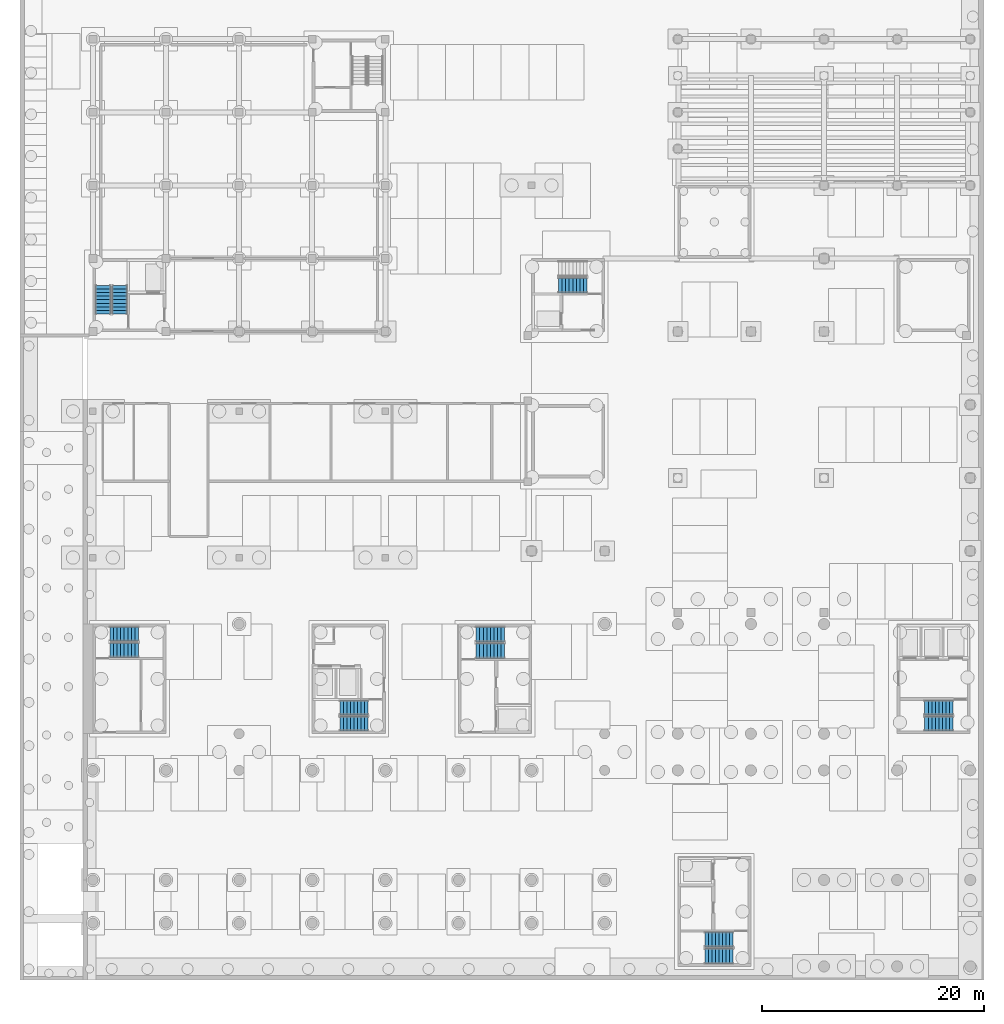
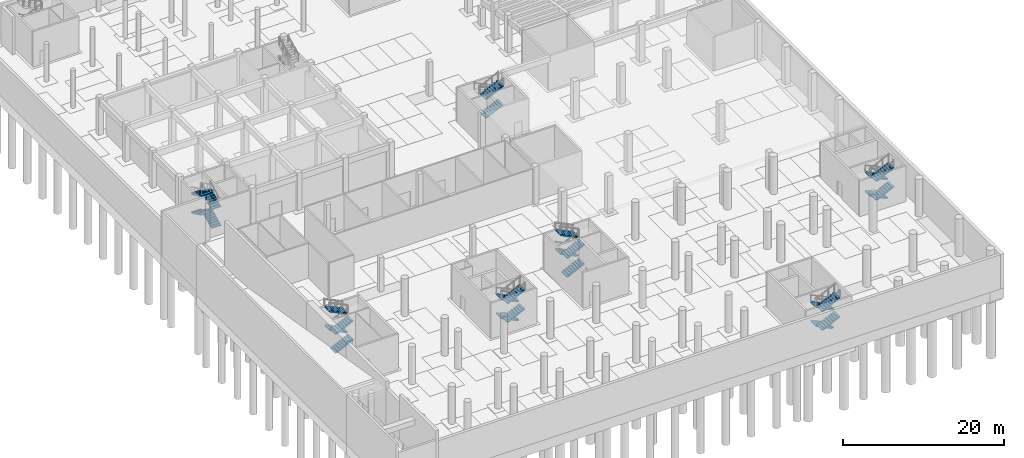
# One storey, part 20 of 38: 26 stair flights, 7 elements without a shape of their own.
"""IFC4 building model written with IfcOpenShell, lengths in metres."""

from ifc_helpers import new_model, si_unit, direction, frame, origin, place, context, subcontext, project, spatial, polyline, outline, extrude, material, type_object, element, aggregate, save


model = new_model("IFC4")

# Units and contexts
model_context = context("Model", 3, precision=1e-05, world=origin(), true_north=direction((0.0, 1.0)))
body_context = subcontext(model_context, "Body", "Model", "MODEL_VIEW")
ifc_project = project(units=[si_unit("LENGTHUNIT", "METRE"), si_unit("AREAUNIT", "SQUARE_METRE"), si_unit("VOLUMEUNIT", "CUBIC_METRE"), si_unit("PLANEANGLEUNIT", "RADIAN"), si_unit("MASSUNIT", "GRAM", prefix="KILO")], contexts=[model_context])

# Site, building, storey
site_placement = place(None, origin())
site = spatial("IfcSite", under=ifc_project, at=site_placement, CompositionType="ELEMENT")
building_placement = place(site_placement, origin())
building = spatial("IfcBuilding", under=site, at=building_placement, Name="Lantern Court Research Institute", CompositionType="ELEMENT")
storey_placement = place(building_placement, frame((0.0, 0.0, -5.699951171875)))
storey = spatial("IfcBuildingStorey", under=building, at=storey_placement, Name="B1", CompositionType="ELEMENT", Elevation=-5.699951171875)

# Stair, stair flights
ifc_material_1 = material(Name="Concrete C40/50", Category="concrete")
stair_type_1 = type_object("IfcStairType", Name="RC half-turn stair 1300 wide, 5700 rise, 6100 shaft", PredefinedType="HALF_TURN_STAIR", material=ifc_material_1)
stair_1_placement = place(storey_placement, origin())
stair_1 = element("IfcStair", 1, at=stair_1_placement, inside=storey, type_object=stair_type_1, Name="B1 stair ST-B1", PredefinedType="HALF_TURN_STAIR")
ifc_material_2 = material(Name="Concrete C40/50", Category="concrete")
stair_flight_type_1 = type_object("IfcStairFlightType", Name="RC stair flight 1300 wide, 9 risers of 158, going 320", PredefinedType="STRAIGHT", material=ifc_material_2)
stair_flight_1_placement = place(storey_placement, frame((1.550048828125, 20.75, 0.0), z_axis=(0.0, 0.0, 1.0), x_axis=(1.0, 0.0, 0.0)))
stair_flight_1 = element("IfcStairFlight", 2, at=stair_flight_1_placement, type_object=stair_flight_type_1, Name="ST-B1 flight 1", NumberOfRisers=9, NumberOfTreads=8, PredefinedType="STRAIGHT", RiserHeight=0.158333333, TreadLength=0.32, context=body_context, shape_type="SweptSolid", body=[
    extrude(outline(polyline([(0.0, 0.0), (0.0, 0.158447265625), (0.320068359375, 0.158447265625), (0.320068359375, 0.316650390625), (0.639892578125, 0.316650390625), (0.639892578125, 0.47509765625), (0.9599609375, 0.47509765625), (0.9599609375, 0.63330078125), (1.280029296875, 0.63330078125), (1.280029296875, 0.791748046875), (1.60009765625, 0.791748046875), (1.60009765625, 0.949951171875), (1.919921875, 0.949951171875), (1.919921875, 1.1083984375), (2.239990234375, 1.1083984375), (2.239990234375, 1.2666015625), (2.56005859375, 1.2666015625), (2.56005859375, 1.425048828125), (2.56005859375, 1.099365234375), (0.338134765625, 0.0), (0.0, 0.0)])), frame((0.0, 0.64990234375, 0.0), z_axis=(0.0, -1.0, 0.0), x_axis=(1.0, 0.0, 0.0)), (0.0, 0.0, 1.0), 1.300048828125),
])
stair_flight_2_placement = place(storey_placement, frame((4.110107421875, 22.199951171875, 1.425048828125), z_axis=(0.0, 0.0, 1.0), x_axis=(-1.0, 0.0, 0.0)))
stair_flight_2 = element("IfcStairFlight", 3, at=stair_flight_2_placement, type_object=stair_flight_type_1, Name="ST-B1 flight 2", NumberOfRisers=9, NumberOfTreads=8, PredefinedType="STRAIGHT", RiserHeight=0.158333333, TreadLength=0.32, context=body_context, shape_type="SweptSolid", body=[
    extrude(outline(polyline([(0.0, 0.0), (0.0, 0.158447265625), (0.320068359375, 0.158447265625), (0.320068359375, 0.316650390625), (0.639892578125, 0.316650390625), (0.639892578125, 0.47509765625), (0.9599609375, 0.47509765625), (0.9599609375, 0.63330078125), (1.280029296875, 0.63330078125), (1.280029296875, 0.791748046875), (1.60009765625, 0.791748046875), (1.60009765625, 0.949951171875), (1.919921875, 0.949951171875), (1.919921875, 1.1083984375), (2.239990234375, 1.1083984375), (2.239990234375, 1.2666015625), (2.56005859375, 1.2666015625), (2.56005859375, 1.425048828125), (2.56005859375, 1.099365234375), (0.338134765625, 0.0), (0.0, 0.0)])), frame((0.0, 0.64990234375, 0.0), z_axis=(0.0, -1.0, 0.0), x_axis=(1.0, 0.0, 0.0)), (0.0, 0.0, 1.0), 1.300048828125),
])
stair_flight_3_placement = place(storey_placement, frame((1.550048828125, 20.75, 2.849853515625), z_axis=(0.0, 0.0, 1.0), x_axis=(1.0, 0.0, 0.0)))
stair_flight_3 = element("IfcStairFlight", 4, at=stair_flight_3_placement, type_object=stair_flight_type_1, Name="ST-B1 flight 3", NumberOfRisers=9, NumberOfTreads=8, PredefinedType="STRAIGHT", RiserHeight=0.158333333, TreadLength=0.32, context=body_context, shape_type="SweptSolid", body=[
    extrude(outline(polyline([(0.0, 0.0), (0.0, 0.158447265625), (0.320068359375, 0.158447265625), (0.320068359375, 0.316650390625), (0.639892578125, 0.316650390625), (0.639892578125, 0.47509765625), (0.9599609375, 0.47509765625), (0.9599609375, 0.63330078125), (1.280029296875, 0.63330078125), (1.280029296875, 0.791748046875), (1.60009765625, 0.791748046875), (1.60009765625, 0.949951171875), (1.919921875, 0.949951171875), (1.919921875, 1.1083984375), (2.239990234375, 1.1083984375), (2.239990234375, 1.2666015625), (2.56005859375, 1.2666015625), (2.56005859375, 1.425048828125), (2.56005859375, 1.099365234375), (0.338134765625, 0.0), (0.0, 0.0)])), frame((0.0, 0.64990234375, 0.0), z_axis=(0.0, -1.0, 0.0), x_axis=(1.0, 0.0, 0.0)), (0.0, 0.0, 1.0), 1.300048828125),
])
stair_flight_4_placement = place(storey_placement, frame((4.110107421875, 22.199951171875, 4.27490234375), z_axis=(0.0, 0.0, 1.0), x_axis=(-1.0, 0.0, 0.0)))
stair_flight_4 = element("IfcStairFlight", 5, at=stair_flight_4_placement, type_object=stair_flight_type_1, Name="ST-B1 flight 4", NumberOfRisers=9, NumberOfTreads=8, PredefinedType="STRAIGHT", RiserHeight=0.158333333, TreadLength=0.32, context=body_context, shape_type="SweptSolid", body=[
    extrude(outline(polyline([(0.0, 0.0), (0.0, 0.158447265625), (0.320068359375, 0.158447265625), (0.320068359375, 0.316650390625), (0.639892578125, 0.316650390625), (0.639892578125, 0.47509765625), (0.9599609375, 0.47509765625), (0.9599609375, 0.63330078125), (1.280029296875, 0.63330078125), (1.280029296875, 0.791748046875), (1.60009765625, 0.791748046875), (1.60009765625, 0.949951171875), (1.919921875, 0.949951171875), (1.919921875, 1.1083984375), (2.239990234375, 1.1083984375), (2.239990234375, 1.2666015625), (2.56005859375, 1.2666015625), (2.56005859375, 1.425048828125), (2.56005859375, 1.099365234375), (0.338134765625, 0.0), (0.0, 0.0)])), frame((0.0, 0.64990234375, 0.0), z_axis=(0.0, -1.0, 0.0), x_axis=(1.0, 0.0, 0.0)), (0.0, 0.0, 1.0), 1.300048828125),
])
aggregate(stair_1, [stair_flight_1, stair_flight_2, stair_flight_3, stair_flight_4])

stair_2_placement = place(storey_placement, origin())
stair_2 = element("IfcStair", 6, at=stair_2_placement, inside=storey, type_object=stair_type_1, Name="B1 stair ST-B2", PredefinedType="HALF_TURN_STAIR")
stair_flight_5_placement = place(storey_placement, frame((24.85009765625, 15.550048828125, 0.0), z_axis=(0.0, 0.0, 1.0), x_axis=(-1.0, 0.0, 0.0)))
stair_flight_5 = element("IfcStairFlight", 7, at=stair_flight_5_placement, type_object=stair_flight_type_1, Name="ST-B2 flight 1", NumberOfRisers=9, NumberOfTreads=8, PredefinedType="STRAIGHT", RiserHeight=0.158333333, TreadLength=0.32, context=body_context, shape_type="SweptSolid", body=[
    extrude(outline(polyline([(0.0, 0.0), (0.0, 0.158447265625), (0.320068359375, 0.158447265625), (0.320068359375, 0.316650390625), (0.639892578125, 0.316650390625), (0.639892578125, 0.47509765625), (0.9599609375, 0.47509765625), (0.9599609375, 0.63330078125), (1.280029296875, 0.63330078125), (1.280029296875, 0.791748046875), (1.60009765625, 0.791748046875), (1.60009765625, 0.949951171875), (1.919921875, 0.949951171875), (1.919921875, 1.1083984375), (2.239990234375, 1.1083984375), (2.239990234375, 1.2666015625), (2.56005859375, 1.2666015625), (2.56005859375, 1.425048828125), (2.56005859375, 1.099365234375), (0.338134765625, 0.0), (0.0, 0.0)])), frame((0.0, 0.64990234375, 0.0), z_axis=(0.0, -1.0, 0.0), x_axis=(1.0, 0.0, 0.0)), (0.0, 0.0, 1.0), 1.300048828125),
])
stair_flight_6_placement = place(storey_placement, frame((22.2900390625, 14.10009765625, 1.425048828125), z_axis=(0.0, 0.0, 1.0), x_axis=(1.0, 0.0, 0.0)))
stair_flight_6 = element("IfcStairFlight", 8, at=stair_flight_6_placement, type_object=stair_flight_type_1, Name="ST-B2 flight 2", NumberOfRisers=9, NumberOfTreads=8, PredefinedType="STRAIGHT", RiserHeight=0.158333333, TreadLength=0.32, context=body_context, shape_type="SweptSolid", body=[
    extrude(outline(polyline([(0.0, 0.0), (0.0, 0.158447265625), (0.320068359375, 0.158447265625), (0.320068359375, 0.316650390625), (0.639892578125, 0.316650390625), (0.639892578125, 0.47509765625), (0.9599609375, 0.47509765625), (0.9599609375, 0.63330078125), (1.280029296875, 0.63330078125), (1.280029296875, 0.791748046875), (1.60009765625, 0.791748046875), (1.60009765625, 0.949951171875), (1.919921875, 0.949951171875), (1.919921875, 1.1083984375), (2.239990234375, 1.1083984375), (2.239990234375, 1.2666015625), (2.56005859375, 1.2666015625), (2.56005859375, 1.425048828125), (2.56005859375, 1.099365234375), (0.338134765625, 0.0), (0.0, 0.0)])), frame((0.0, 0.64990234375, 0.0), z_axis=(0.0, -1.0, 0.0), x_axis=(1.0, 0.0, 0.0)), (0.0, 0.0, 1.0), 1.300048828125),
])
stair_flight_7_placement = place(storey_placement, frame((24.85009765625, 15.550048828125, 2.849853515625), z_axis=(0.0, 0.0, 1.0), x_axis=(-1.0, 0.0, 0.0)))
stair_flight_7 = element("IfcStairFlight", 9, at=stair_flight_7_placement, type_object=stair_flight_type_1, Name="ST-B2 flight 3", NumberOfRisers=9, NumberOfTreads=8, PredefinedType="STRAIGHT", RiserHeight=0.158333333, TreadLength=0.32, context=body_context, shape_type="SweptSolid", body=[
    extrude(outline(polyline([(0.0, 0.0), (0.0, 0.158447265625), (0.320068359375, 0.158447265625), (0.320068359375, 0.316650390625), (0.639892578125, 0.316650390625), (0.639892578125, 0.47509765625), (0.9599609375, 0.47509765625), (0.9599609375, 0.63330078125), (1.280029296875, 0.63330078125), (1.280029296875, 0.791748046875), (1.60009765625, 0.791748046875), (1.60009765625, 0.949951171875), (1.919921875, 0.949951171875), (1.919921875, 1.1083984375), (2.239990234375, 1.1083984375), (2.239990234375, 1.2666015625), (2.56005859375, 1.2666015625), (2.56005859375, 1.425048828125), (2.56005859375, 1.099365234375), (0.338134765625, 0.0), (0.0, 0.0)])), frame((0.0, 0.64990234375, 0.0), z_axis=(0.0, -1.0, 0.0), x_axis=(1.0, 0.0, 0.0)), (0.0, 0.0, 1.0), 1.300048828125),
])
stair_flight_8_placement = place(storey_placement, frame((22.2900390625, 14.10009765625, 4.27490234375), z_axis=(0.0, 0.0, 1.0), x_axis=(1.0, 0.0, 0.0)))
stair_flight_8 = element("IfcStairFlight", 10, at=stair_flight_8_placement, type_object=stair_flight_type_1, Name="ST-B2 flight 4", NumberOfRisers=9, NumberOfTreads=8, PredefinedType="STRAIGHT", RiserHeight=0.158333333, TreadLength=0.32, context=body_context, shape_type="SweptSolid", body=[
    extrude(outline(polyline([(0.0, 0.0), (0.0, 0.158447265625), (0.320068359375, 0.158447265625), (0.320068359375, 0.316650390625), (0.639892578125, 0.316650390625), (0.639892578125, 0.47509765625), (0.9599609375, 0.47509765625), (0.9599609375, 0.63330078125), (1.280029296875, 0.63330078125), (1.280029296875, 0.791748046875), (1.60009765625, 0.791748046875), (1.60009765625, 0.949951171875), (1.919921875, 0.949951171875), (1.919921875, 1.1083984375), (2.239990234375, 1.1083984375), (2.239990234375, 1.2666015625), (2.56005859375, 1.2666015625), (2.56005859375, 1.425048828125), (2.56005859375, 1.099365234375), (0.338134765625, 0.0), (0.0, 0.0)])), frame((0.0, 0.64990234375, 0.0), z_axis=(0.0, -1.0, 0.0), x_axis=(1.0, 0.0, 0.0)), (0.0, 0.0, 1.0), 1.300048828125),
])
aggregate(stair_2, [stair_flight_5, stair_flight_6, stair_flight_7, stair_flight_8])

stair_3_placement = place(storey_placement, origin())
stair_3 = element("IfcStair", 11, at=stair_3_placement, inside=storey, type_object=stair_type_1, Name="B1 stair ST-T2", PredefinedType="HALF_TURN_STAIR")
stair_flight_9_placement = place(storey_placement, frame((77.64990234375, 15.550048828125, 0.0), z_axis=(0.0, 0.0, 1.0), x_axis=(-1.0, 0.0, 0.0)))
stair_flight_9 = element("IfcStairFlight", 12, at=stair_flight_9_placement, type_object=stair_flight_type_1, Name="ST-T2 flight 1", NumberOfRisers=9, NumberOfTreads=8, PredefinedType="STRAIGHT", RiserHeight=0.158333333, TreadLength=0.32, context=body_context, shape_type="SweptSolid", body=[
    extrude(outline(polyline([(0.0, 0.0), (0.0, 0.158447265625), (0.320068359375, 0.158447265625), (0.320068359375, 0.316650390625), (0.639892578125, 0.316650390625), (0.639892578125, 0.47509765625), (0.9599609375, 0.47509765625), (0.9599609375, 0.63330078125), (1.280029296875, 0.63330078125), (1.280029296875, 0.791748046875), (1.60009765625, 0.791748046875), (1.60009765625, 0.949951171875), (1.919921875, 0.949951171875), (1.919921875, 1.1083984375), (2.239990234375, 1.1083984375), (2.239990234375, 1.2666015625), (2.56005859375, 1.2666015625), (2.56005859375, 1.425048828125), (2.56005859375, 1.099365234375), (0.338134765625, 0.0), (0.0, 0.0)])), frame((0.0, 0.64990234375, 0.0), z_axis=(0.0, -1.0, 0.0), x_axis=(1.0, 0.0, 0.0)), (0.0, 0.0, 1.0), 1.300048828125),
])
stair_flight_10_placement = place(storey_placement, frame((75.090087890625, 14.10009765625, 1.425048828125), z_axis=(0.0, 0.0, 1.0), x_axis=(1.0, 0.0, 0.0)))
stair_flight_10 = element("IfcStairFlight", 13, at=stair_flight_10_placement, type_object=stair_flight_type_1, Name="ST-T2 flight 2", NumberOfRisers=9, NumberOfTreads=8, PredefinedType="STRAIGHT", RiserHeight=0.158333333, TreadLength=0.32, context=body_context, shape_type="SweptSolid", body=[
    extrude(outline(polyline([(0.0, 0.0), (0.0, 0.158447265625), (0.320068359375, 0.158447265625), (0.320068359375, 0.316650390625), (0.639892578125, 0.316650390625), (0.639892578125, 0.47509765625), (0.9599609375, 0.47509765625), (0.9599609375, 0.63330078125), (1.280029296875, 0.63330078125), (1.280029296875, 0.791748046875), (1.60009765625, 0.791748046875), (1.60009765625, 0.949951171875), (1.919921875, 0.949951171875), (1.919921875, 1.1083984375), (2.239990234375, 1.1083984375), (2.239990234375, 1.2666015625), (2.56005859375, 1.2666015625), (2.56005859375, 1.425048828125), (2.56005859375, 1.099365234375), (0.338134765625, 0.0), (0.0, 0.0)])), frame((0.0, 0.64990234375, 0.0), z_axis=(0.0, -1.0, 0.0), x_axis=(1.0, 0.0, 0.0)), (0.0, 0.0, 1.0), 1.300048828125),
])
stair_flight_11_placement = place(storey_placement, frame((77.64990234375, 15.550048828125, 2.849853515625), z_axis=(0.0, 0.0, 1.0), x_axis=(-1.0, 0.0, 0.0)))
stair_flight_11 = element("IfcStairFlight", 14, at=stair_flight_11_placement, type_object=stair_flight_type_1, Name="ST-T2 flight 3", NumberOfRisers=9, NumberOfTreads=8, PredefinedType="STRAIGHT", RiserHeight=0.158333333, TreadLength=0.32, context=body_context, shape_type="SweptSolid", body=[
    extrude(outline(polyline([(0.0, 0.0), (0.0, 0.158447265625), (0.320068359375, 0.158447265625), (0.320068359375, 0.316650390625), (0.639892578125, 0.316650390625), (0.639892578125, 0.47509765625), (0.9599609375, 0.47509765625), (0.9599609375, 0.63330078125), (1.280029296875, 0.63330078125), (1.280029296875, 0.791748046875), (1.60009765625, 0.791748046875), (1.60009765625, 0.949951171875), (1.919921875, 0.949951171875), (1.919921875, 1.1083984375), (2.239990234375, 1.1083984375), (2.239990234375, 1.2666015625), (2.56005859375, 1.2666015625), (2.56005859375, 1.425048828125), (2.56005859375, 1.099365234375), (0.338134765625, 0.0), (0.0, 0.0)])), frame((0.0, 0.64990234375, 0.0), z_axis=(0.0, -1.0, 0.0), x_axis=(1.0, 0.0, 0.0)), (0.0, 0.0, 1.0), 1.300048828125),
])
stair_flight_12_placement = place(storey_placement, frame((75.090087890625, 14.10009765625, 4.27490234375), z_axis=(0.0, 0.0, 1.0), x_axis=(1.0, 0.0, 0.0)))
stair_flight_12 = element("IfcStairFlight", 15, at=stair_flight_12_placement, type_object=stair_flight_type_1, Name="ST-T2 flight 4", NumberOfRisers=9, NumberOfTreads=8, PredefinedType="STRAIGHT", RiserHeight=0.158333333, TreadLength=0.32, context=body_context, shape_type="SweptSolid", body=[
    extrude(outline(polyline([(0.0, 0.0), (0.0, 0.158447265625), (0.320068359375, 0.158447265625), (0.320068359375, 0.316650390625), (0.639892578125, 0.316650390625), (0.639892578125, 0.47509765625), (0.9599609375, 0.47509765625), (0.9599609375, 0.63330078125), (1.280029296875, 0.63330078125), (1.280029296875, 0.791748046875), (1.60009765625, 0.791748046875), (1.60009765625, 0.949951171875), (1.919921875, 0.949951171875), (1.919921875, 1.1083984375), (2.239990234375, 1.1083984375), (2.239990234375, 1.2666015625), (2.56005859375, 1.2666015625), (2.56005859375, 1.425048828125), (2.56005859375, 1.099365234375), (0.338134765625, 0.0), (0.0, 0.0)])), frame((0.0, 0.64990234375, 0.0), z_axis=(0.0, -1.0, 0.0), x_axis=(1.0, 0.0, 0.0)), (0.0, 0.0, 1.0), 1.300048828125),
])
aggregate(stair_3, [stair_flight_9, stair_flight_10, stair_flight_11, stair_flight_12])

ifc_material_3 = material(Name="Concrete C40/50", Category="concrete")
stair_type_2 = type_object("IfcStairType", Name="RC half-turn stair 1350 wide, 5700 rise, 6100 shaft", PredefinedType="HALF_TURN_STAIR", material=ifc_material_3)
stair_4_placement = place(storey_placement, origin())
stair_4 = element("IfcStair", 16, at=stair_4_placement, inside=storey, type_object=stair_type_2, Name="B1 stair ST-B3", PredefinedType="HALF_TURN_STAIR")
ifc_material_4 = material(Name="Concrete C40/50", Category="concrete")
stair_flight_type_2 = type_object("IfcStairFlightType", Name="RC stair flight 1350 wide, 9 risers of 158, going 320", PredefinedType="STRAIGHT", material=ifc_material_4)
stair_flight_13_placement = place(storey_placement, frame((34.60009765625, 20.675048828125, 0.0), z_axis=(0.0, 0.0, 1.0), x_axis=(1.0, 0.0, 0.0)))
stair_flight_13 = element("IfcStairFlight", 17, at=stair_flight_13_placement, type_object=stair_flight_type_2, Name="ST-B3 flight 1", NumberOfRisers=9, NumberOfTreads=8, PredefinedType="STRAIGHT", RiserHeight=0.158333333, TreadLength=0.32, context=body_context, shape_type="SweptSolid", body=[
    extrude(outline(polyline([(0.0, 0.0), (0.0, 0.158447265625), (0.320068359375, 0.158447265625), (0.320068359375, 0.316650390625), (0.639892578125, 0.316650390625), (0.639892578125, 0.47509765625), (0.9599609375, 0.47509765625), (0.9599609375, 0.63330078125), (1.280029296875, 0.63330078125), (1.280029296875, 0.791748046875), (1.60009765625, 0.791748046875), (1.60009765625, 0.949951171875), (1.919921875, 0.949951171875), (1.919921875, 1.1083984375), (2.239990234375, 1.1083984375), (2.239990234375, 1.2666015625), (2.56005859375, 1.2666015625), (2.56005859375, 1.425048828125), (2.56005859375, 1.099365234375), (0.338134765625, 0.0), (0.0, 0.0)])), frame((0.0, 0.675048828125, 0.0), z_axis=(0.0, -1.0, 0.0), x_axis=(1.0, 0.0, 0.0)), (0.0, 0.0, 1.0), 1.35009765625),
])
stair_flight_14_placement = place(storey_placement, frame((37.159912109375, 22.175048828125, 1.425048828125), z_axis=(0.0, 0.0, 1.0), x_axis=(-1.0, 0.0, 0.0)))
stair_flight_14 = element("IfcStairFlight", 18, at=stair_flight_14_placement, type_object=stair_flight_type_2, Name="ST-B3 flight 2", NumberOfRisers=9, NumberOfTreads=8, PredefinedType="STRAIGHT", RiserHeight=0.158333333, TreadLength=0.32, context=body_context, shape_type="SweptSolid", body=[
    extrude(outline(polyline([(0.0, 0.0), (0.0, 0.158447265625), (0.320068359375, 0.158447265625), (0.320068359375, 0.316650390625), (0.639892578125, 0.316650390625), (0.639892578125, 0.47509765625), (0.9599609375, 0.47509765625), (0.9599609375, 0.63330078125), (1.280029296875, 0.63330078125), (1.280029296875, 0.791748046875), (1.60009765625, 0.791748046875), (1.60009765625, 0.949951171875), (1.919921875, 0.949951171875), (1.919921875, 1.1083984375), (2.239990234375, 1.1083984375), (2.239990234375, 1.2666015625), (2.56005859375, 1.2666015625), (2.56005859375, 1.425048828125), (2.56005859375, 1.099365234375), (0.338134765625, 0.0), (0.0, 0.0)])), frame((0.0, 0.675048828125, 0.0), z_axis=(0.0, -1.0, 0.0), x_axis=(1.0, 0.0, 0.0)), (0.0, 0.0, 1.0), 1.35009765625),
])
stair_flight_15_placement = place(storey_placement, frame((34.60009765625, 20.675048828125, 2.849853515625), z_axis=(0.0, 0.0, 1.0), x_axis=(1.0, 0.0, 0.0)))
stair_flight_15 = element("IfcStairFlight", 19, at=stair_flight_15_placement, type_object=stair_flight_type_2, Name="ST-B3 flight 3", NumberOfRisers=9, NumberOfTreads=8, PredefinedType="STRAIGHT", RiserHeight=0.158333333, TreadLength=0.32, context=body_context, shape_type="SweptSolid", body=[
    extrude(outline(polyline([(0.0, 0.0), (0.0, 0.158447265625), (0.320068359375, 0.158447265625), (0.320068359375, 0.316650390625), (0.639892578125, 0.316650390625), (0.639892578125, 0.47509765625), (0.9599609375, 0.47509765625), (0.9599609375, 0.63330078125), (1.280029296875, 0.63330078125), (1.280029296875, 0.791748046875), (1.60009765625, 0.791748046875), (1.60009765625, 0.949951171875), (1.919921875, 0.949951171875), (1.919921875, 1.1083984375), (2.239990234375, 1.1083984375), (2.239990234375, 1.2666015625), (2.56005859375, 1.2666015625), (2.56005859375, 1.425048828125), (2.56005859375, 1.099365234375), (0.338134765625, 0.0), (0.0, 0.0)])), frame((0.0, 0.675048828125, 0.0), z_axis=(0.0, -1.0, 0.0), x_axis=(1.0, 0.0, 0.0)), (0.0, 0.0, 1.0), 1.35009765625),
])
stair_flight_16_placement = place(storey_placement, frame((37.159912109375, 22.175048828125, 4.27490234375), z_axis=(0.0, 0.0, 1.0), x_axis=(-1.0, 0.0, 0.0)))
stair_flight_16 = element("IfcStairFlight", 20, at=stair_flight_16_placement, type_object=stair_flight_type_2, Name="ST-B3 flight 4", NumberOfRisers=9, NumberOfTreads=8, PredefinedType="STRAIGHT", RiserHeight=0.158333333, TreadLength=0.32, context=body_context, shape_type="SweptSolid", body=[
    extrude(outline(polyline([(0.0, 0.0), (0.0, 0.158447265625), (0.320068359375, 0.158447265625), (0.320068359375, 0.316650390625), (0.639892578125, 0.316650390625), (0.639892578125, 0.47509765625), (0.9599609375, 0.47509765625), (0.9599609375, 0.63330078125), (1.280029296875, 0.63330078125), (1.280029296875, 0.791748046875), (1.60009765625, 0.791748046875), (1.60009765625, 0.949951171875), (1.919921875, 0.949951171875), (1.919921875, 1.1083984375), (2.239990234375, 1.1083984375), (2.239990234375, 1.2666015625), (2.56005859375, 1.2666015625), (2.56005859375, 1.425048828125), (2.56005859375, 1.099365234375), (0.338134765625, 0.0), (0.0, 0.0)])), frame((0.0, 0.675048828125, 0.0), z_axis=(0.0, -1.0, 0.0), x_axis=(1.0, 0.0, 0.0)), (0.0, 0.0, 1.0), 1.35009765625),
])
aggregate(stair_4, [stair_flight_13, stair_flight_14, stair_flight_15, stair_flight_16])

stair_5_placement = place(storey_placement, origin())
stair_5 = element("IfcStair", 21, at=stair_5_placement, inside=storey, type_object=stair_type_2, Name="B1 stair ST-T1", PredefinedType="HALF_TURN_STAIR")
stair_flight_17_placement = place(storey_placement, frame((57.800048828125, -5.375, 0.0), z_axis=(0.0, 0.0, 1.0), x_axis=(-1.0, 0.0, 0.0)))
stair_flight_17 = element("IfcStairFlight", 22, at=stair_flight_17_placement, type_object=stair_flight_type_2, Name="ST-T1 flight 1", NumberOfRisers=9, NumberOfTreads=8, PredefinedType="STRAIGHT", RiserHeight=0.158333333, TreadLength=0.32, context=body_context, shape_type="SweptSolid", body=[
    extrude(outline(polyline([(0.0, 0.0), (0.0, 0.158447265625), (0.320068359375, 0.158447265625), (0.320068359375, 0.316650390625), (0.639892578125, 0.316650390625), (0.639892578125, 0.47509765625), (0.9599609375, 0.47509765625), (0.9599609375, 0.63330078125), (1.280029296875, 0.63330078125), (1.280029296875, 0.791748046875), (1.60009765625, 0.791748046875), (1.60009765625, 0.949951171875), (1.919921875, 0.949951171875), (1.919921875, 1.1083984375), (2.239990234375, 1.1083984375), (2.239990234375, 1.2666015625), (2.56005859375, 1.2666015625), (2.56005859375, 1.425048828125), (2.56005859375, 1.099365234375), (0.338134765625, 0.0), (0.0, 0.0)])), frame((0.0, 0.675048828125, 0.0), z_axis=(0.0, -1.0, 0.0), x_axis=(1.0, 0.0, 0.0)), (0.0, 0.0, 1.0), 1.35009765625),
])
stair_flight_18_placement = place(storey_placement, frame((55.239990234375, -6.875, 1.425048828125), z_axis=(0.0, 0.0, 1.0), x_axis=(1.0, 0.0, 0.0)))
stair_flight_18 = element("IfcStairFlight", 23, at=stair_flight_18_placement, type_object=stair_flight_type_2, Name="ST-T1 flight 2", NumberOfRisers=9, NumberOfTreads=8, PredefinedType="STRAIGHT", RiserHeight=0.158333333, TreadLength=0.32, context=body_context, shape_type="SweptSolid", body=[
    extrude(outline(polyline([(0.0, 0.0), (0.0, 0.158447265625), (0.320068359375, 0.158447265625), (0.320068359375, 0.316650390625), (0.639892578125, 0.316650390625), (0.639892578125, 0.47509765625), (0.9599609375, 0.47509765625), (0.9599609375, 0.63330078125), (1.280029296875, 0.63330078125), (1.280029296875, 0.791748046875), (1.60009765625, 0.791748046875), (1.60009765625, 0.949951171875), (1.919921875, 0.949951171875), (1.919921875, 1.1083984375), (2.239990234375, 1.1083984375), (2.239990234375, 1.2666015625), (2.56005859375, 1.2666015625), (2.56005859375, 1.425048828125), (2.56005859375, 1.099365234375), (0.338134765625, 0.0), (0.0, 0.0)])), frame((0.0, 0.675048828125, 0.0), z_axis=(0.0, -1.0, 0.0), x_axis=(1.0, 0.0, 0.0)), (0.0, 0.0, 1.0), 1.35009765625),
])
stair_flight_19_placement = place(storey_placement, frame((57.800048828125, -5.375, 2.849853515625), z_axis=(0.0, 0.0, 1.0), x_axis=(-1.0, 0.0, 0.0)))
stair_flight_19 = element("IfcStairFlight", 24, at=stair_flight_19_placement, type_object=stair_flight_type_2, Name="ST-T1 flight 3", NumberOfRisers=9, NumberOfTreads=8, PredefinedType="STRAIGHT", RiserHeight=0.158333333, TreadLength=0.32, context=body_context, shape_type="SweptSolid", body=[
    extrude(outline(polyline([(0.0, 0.0), (0.0, 0.158447265625), (0.320068359375, 0.158447265625), (0.320068359375, 0.316650390625), (0.639892578125, 0.316650390625), (0.639892578125, 0.47509765625), (0.9599609375, 0.47509765625), (0.9599609375, 0.63330078125), (1.280029296875, 0.63330078125), (1.280029296875, 0.791748046875), (1.60009765625, 0.791748046875), (1.60009765625, 0.949951171875), (1.919921875, 0.949951171875), (1.919921875, 1.1083984375), (2.239990234375, 1.1083984375), (2.239990234375, 1.2666015625), (2.56005859375, 1.2666015625), (2.56005859375, 1.425048828125), (2.56005859375, 1.099365234375), (0.338134765625, 0.0), (0.0, 0.0)])), frame((0.0, 0.675048828125, 0.0), z_axis=(0.0, -1.0, 0.0), x_axis=(1.0, 0.0, 0.0)), (0.0, 0.0, 1.0), 1.35009765625),
])
stair_flight_20_placement = place(storey_placement, frame((55.239990234375, -6.875, 4.27490234375), z_axis=(0.0, 0.0, 1.0), x_axis=(1.0, 0.0, 0.0)))
stair_flight_20 = element("IfcStairFlight", 25, at=stair_flight_20_placement, type_object=stair_flight_type_2, Name="ST-T1 flight 4", NumberOfRisers=9, NumberOfTreads=8, PredefinedType="STRAIGHT", RiserHeight=0.158333333, TreadLength=0.32, context=body_context, shape_type="SweptSolid", body=[
    extrude(outline(polyline([(0.0, 0.0), (0.0, 0.158447265625), (0.320068359375, 0.158447265625), (0.320068359375, 0.316650390625), (0.639892578125, 0.316650390625), (0.639892578125, 0.47509765625), (0.9599609375, 0.47509765625), (0.9599609375, 0.63330078125), (1.280029296875, 0.63330078125), (1.280029296875, 0.791748046875), (1.60009765625, 0.791748046875), (1.60009765625, 0.949951171875), (1.919921875, 0.949951171875), (1.919921875, 1.1083984375), (2.239990234375, 1.1083984375), (2.239990234375, 1.2666015625), (2.56005859375, 1.2666015625), (2.56005859375, 1.425048828125), (2.56005859375, 1.099365234375), (0.338134765625, 0.0), (0.0, 0.0)])), frame((0.0, 0.675048828125, 0.0), z_axis=(0.0, -1.0, 0.0), x_axis=(1.0, 0.0, 0.0)), (0.0, 0.0, 1.0), 1.35009765625),
])
aggregate(stair_5, [stair_flight_17, stair_flight_18, stair_flight_19, stair_flight_20])

stair_6_placement = place(storey_placement, origin())
stair_6 = element("IfcStair", 26, at=stair_6_placement, inside=storey, type_object=stair_type_2, Name="B1 stair ST-C1", PredefinedType="HALF_TURN_STAIR")
stair_flight_21_placement = place(storey_placement, frame((2.425048828125, 51.10009765625, 0.0), z_axis=(0.0, 0.0, 1.0), x_axis=(0.0, 1.0, 0.0)))
stair_flight_21 = element("IfcStairFlight", 27, at=stair_flight_21_placement, type_object=stair_flight_type_2, Name="ST-C1 flight 1", NumberOfRisers=9, NumberOfTreads=8, PredefinedType="STRAIGHT", RiserHeight=0.158333333, TreadLength=0.32, context=body_context, shape_type="SweptSolid", body=[
    extrude(outline(polyline([(0.0, 0.0), (0.0, 0.158447265625), (0.320068359375, 0.158447265625), (0.320068359375, 0.316650390625), (0.639892578125, 0.316650390625), (0.639892578125, 0.47509765625), (0.9599609375, 0.47509765625), (0.9599609375, 0.63330078125), (1.280029296875, 0.63330078125), (1.280029296875, 0.791748046875), (1.60009765625, 0.791748046875), (1.60009765625, 0.949951171875), (1.919921875, 0.949951171875), (1.919921875, 1.1083984375), (2.239990234375, 1.1083984375), (2.239990234375, 1.2666015625), (2.56005859375, 1.2666015625), (2.56005859375, 1.425048828125), (2.56005859375, 1.099365234375), (0.338134765625, 0.0), (0.0, 0.0)])), frame((0.0, 0.675048828125, 0.0), z_axis=(0.0, -1.0, 0.0), x_axis=(1.0, 0.0, 0.0)), (0.0, 0.0, 1.0), 1.35009765625),
])
stair_flight_22_placement = place(storey_placement, frame((0.925048828125, 53.659912109375, 1.425048828125), z_axis=(0.0, 0.0, 1.0), x_axis=(0.0, -1.0, 0.0)))
stair_flight_22 = element("IfcStairFlight", 28, at=stair_flight_22_placement, type_object=stair_flight_type_2, Name="ST-C1 flight 2", NumberOfRisers=9, NumberOfTreads=8, PredefinedType="STRAIGHT", RiserHeight=0.158333333, TreadLength=0.32, context=body_context, shape_type="SweptSolid", body=[
    extrude(outline(polyline([(0.0, 0.0), (0.0, 0.158447265625), (0.320068359375, 0.158447265625), (0.320068359375, 0.316650390625), (0.639892578125, 0.316650390625), (0.639892578125, 0.47509765625), (0.9599609375, 0.47509765625), (0.9599609375, 0.63330078125), (1.280029296875, 0.63330078125), (1.280029296875, 0.791748046875), (1.60009765625, 0.791748046875), (1.60009765625, 0.949951171875), (1.919921875, 0.949951171875), (1.919921875, 1.1083984375), (2.239990234375, 1.1083984375), (2.239990234375, 1.2666015625), (2.56005859375, 1.2666015625), (2.56005859375, 1.425048828125), (2.56005859375, 1.099365234375), (0.338134765625, 0.0), (0.0, 0.0)])), frame((0.0, 0.675048828125, 0.0), z_axis=(0.0, -1.0, 0.0), x_axis=(1.0, 0.0, 0.0)), (0.0, 0.0, 1.0), 1.35009765625),
])
stair_flight_23_placement = place(storey_placement, frame((2.425048828125, 51.10009765625, 2.849853515625), z_axis=(0.0, 0.0, 1.0), x_axis=(0.0, 1.0, 0.0)))
stair_flight_23 = element("IfcStairFlight", 29, at=stair_flight_23_placement, type_object=stair_flight_type_2, Name="ST-C1 flight 3", NumberOfRisers=9, NumberOfTreads=8, PredefinedType="STRAIGHT", RiserHeight=0.158333333, TreadLength=0.32, context=body_context, shape_type="SweptSolid", body=[
    extrude(outline(polyline([(0.0, 0.0), (0.0, 0.158447265625), (0.320068359375, 0.158447265625), (0.320068359375, 0.316650390625), (0.639892578125, 0.316650390625), (0.639892578125, 0.47509765625), (0.9599609375, 0.47509765625), (0.9599609375, 0.63330078125), (1.280029296875, 0.63330078125), (1.280029296875, 0.791748046875), (1.60009765625, 0.791748046875), (1.60009765625, 0.949951171875), (1.919921875, 0.949951171875), (1.919921875, 1.1083984375), (2.239990234375, 1.1083984375), (2.239990234375, 1.2666015625), (2.56005859375, 1.2666015625), (2.56005859375, 1.425048828125), (2.56005859375, 1.099365234375), (0.338134765625, 0.0), (0.0, 0.0)])), frame((0.0, 0.675048828125, 0.0), z_axis=(0.0, -1.0, 0.0), x_axis=(1.0, 0.0, 0.0)), (0.0, 0.0, 1.0), 1.35009765625),
])
stair_flight_24_placement = place(storey_placement, frame((0.925048828125, 53.659912109375, 4.27490234375), z_axis=(0.0, 0.0, 1.0), x_axis=(0.0, -1.0, 0.0)))
stair_flight_24 = element("IfcStairFlight", 30, at=stair_flight_24_placement, type_object=stair_flight_type_2, Name="ST-C1 flight 4", NumberOfRisers=9, NumberOfTreads=8, PredefinedType="STRAIGHT", RiserHeight=0.158333333, TreadLength=0.32, context=body_context, shape_type="SweptSolid", body=[
    extrude(outline(polyline([(0.0, 0.0), (0.0, 0.158447265625), (0.320068359375, 0.158447265625), (0.320068359375, 0.316650390625), (0.639892578125, 0.316650390625), (0.639892578125, 0.47509765625), (0.9599609375, 0.47509765625), (0.9599609375, 0.63330078125), (1.280029296875, 0.63330078125), (1.280029296875, 0.791748046875), (1.60009765625, 0.791748046875), (1.60009765625, 0.949951171875), (1.919921875, 0.949951171875), (1.919921875, 1.1083984375), (2.239990234375, 1.1083984375), (2.239990234375, 1.2666015625), (2.56005859375, 1.2666015625), (2.56005859375, 1.425048828125), (2.56005859375, 1.099365234375), (0.338134765625, 0.0), (0.0, 0.0)])), frame((0.0, 0.675048828125, 0.0), z_axis=(0.0, -1.0, 0.0), x_axis=(1.0, 0.0, 0.0)), (0.0, 0.0, 1.0), 1.35009765625),
])
aggregate(stair_6, [stair_flight_21, stair_flight_22, stair_flight_23, stair_flight_24])

stair_7_placement = place(storey_placement, origin())
stair_7 = element("IfcStair", 31, at=stair_7_placement, inside=storey, type_object=stair_type_2, Name="B1 stair ST-H1", PredefinedType="HALF_TURN_STAIR")
stair_flight_25_placement = place(storey_placement, frame((42.0400390625, 53.675048828125, 1.425048828125), z_axis=(0.0, 0.0, 1.0), x_axis=(1.0, 0.0, 0.0)))
stair_flight_25 = element("IfcStairFlight", 32, at=stair_flight_25_placement, type_object=stair_flight_type_2, Name="ST-H1 flight 2", NumberOfRisers=9, NumberOfTreads=8, PredefinedType="STRAIGHT", RiserHeight=0.158333333, TreadLength=0.32, context=body_context, shape_type="SweptSolid", body=[
    extrude(outline(polyline([(0.0, 0.0), (0.0, 0.158447265625), (0.320068359375, 0.158447265625), (0.320068359375, 0.316650390625), (0.639892578125, 0.316650390625), (0.639892578125, 0.47509765625), (0.9599609375, 0.47509765625), (0.9599609375, 0.63330078125), (1.280029296875, 0.63330078125), (1.280029296875, 0.791748046875), (1.60009765625, 0.791748046875), (1.60009765625, 0.949951171875), (1.919921875, 0.949951171875), (1.919921875, 1.1083984375), (2.239990234375, 1.1083984375), (2.239990234375, 1.2666015625), (2.56005859375, 1.2666015625), (2.56005859375, 1.425048828125), (2.56005859375, 1.099365234375), (0.338134765625, 0.0), (0.0, 0.0)])), frame((0.0, 0.675048828125, 0.0), z_axis=(0.0, -1.0, 0.0), x_axis=(1.0, 0.0, 0.0)), (0.0, 0.0, 1.0), 1.35009765625),
])
stair_flight_26_placement = place(storey_placement, frame((42.0400390625, 53.675048828125, 4.27490234375), z_axis=(0.0, 0.0, 1.0), x_axis=(1.0, 0.0, 0.0)))
stair_flight_26 = element("IfcStairFlight", 33, at=stair_flight_26_placement, type_object=stair_flight_type_2, Name="ST-H1 flight 4", NumberOfRisers=9, NumberOfTreads=8, PredefinedType="STRAIGHT", RiserHeight=0.158333333, TreadLength=0.32, context=body_context, shape_type="SweptSolid", body=[
    extrude(outline(polyline([(0.0, 0.0), (0.0, 0.158447265625), (0.320068359375, 0.158447265625), (0.320068359375, 0.316650390625), (0.639892578125, 0.316650390625), (0.639892578125, 0.47509765625), (0.9599609375, 0.47509765625), (0.9599609375, 0.63330078125), (1.280029296875, 0.63330078125), (1.280029296875, 0.791748046875), (1.60009765625, 0.791748046875), (1.60009765625, 0.949951171875), (1.919921875, 0.949951171875), (1.919921875, 1.1083984375), (2.239990234375, 1.1083984375), (2.239990234375, 1.2666015625), (2.56005859375, 1.2666015625), (2.56005859375, 1.425048828125), (2.56005859375, 1.099365234375), (0.338134765625, 0.0), (0.0, 0.0)])), frame((0.0, 0.675048828125, 0.0), z_axis=(0.0, -1.0, 0.0), x_axis=(1.0, 0.0, 0.0)), (0.0, 0.0, 1.0), 1.35009765625),
])
aggregate(stair_7, [stair_flight_25, stair_flight_26])

save(model, "model.ifc")
